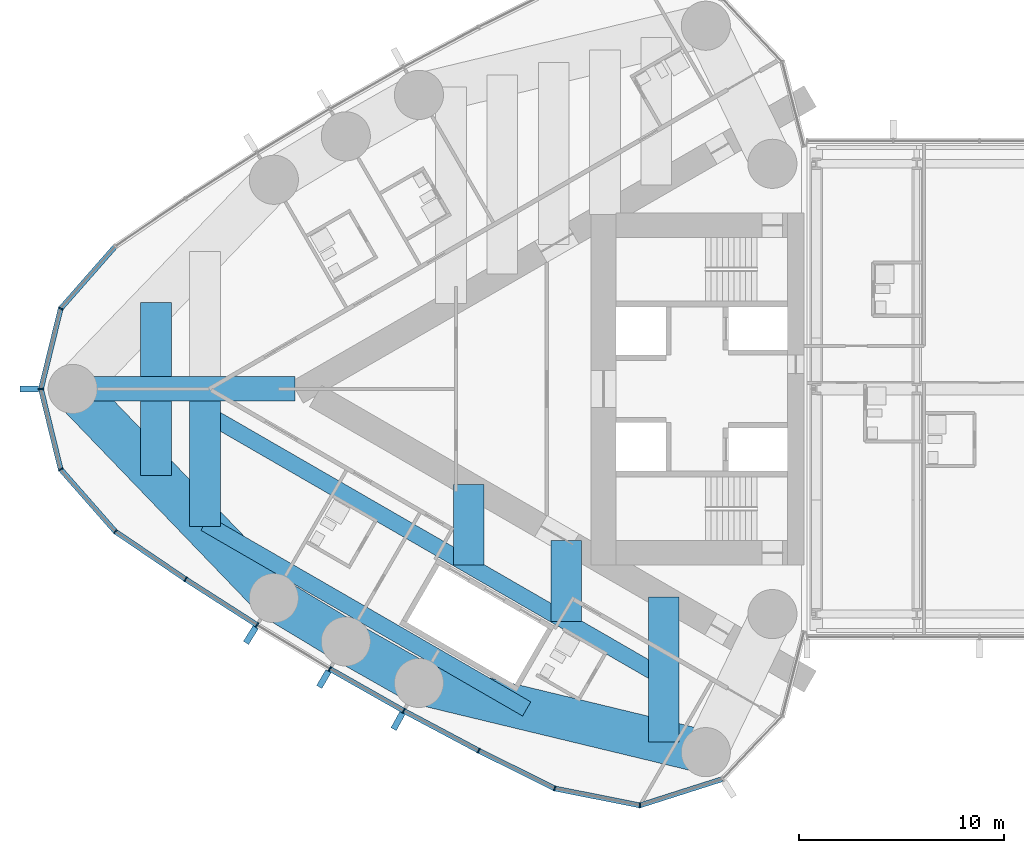
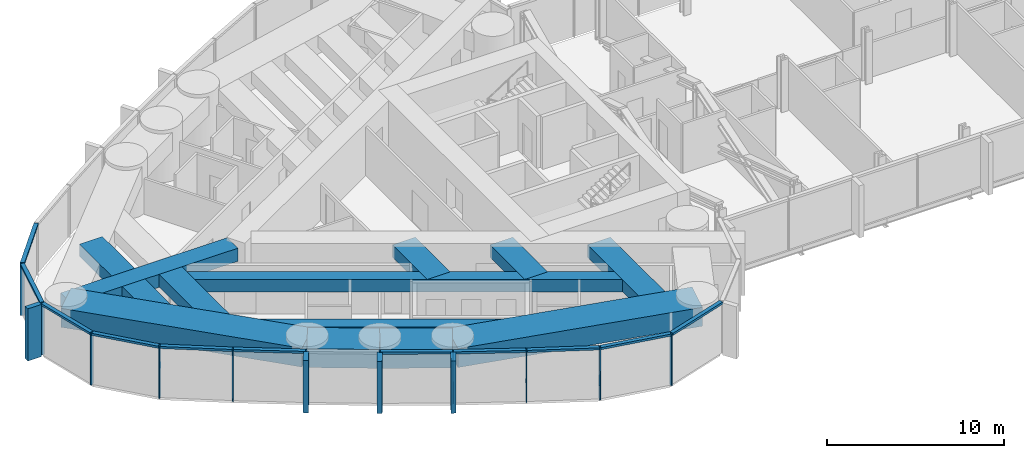
# One storey, part 3 of 24: 26 members, 13 beams, 1 element without a shape of its own.
"""IFC4 building model written with IfcOpenShell, lengths in metres."""

from ifc_helpers import new_model, si_unit, direction, frame, origin, origin_2d, place, context, subcontext, project, spatial, rectangle, hollow_rectangle, extrude, material, material_profile, profile_set, type_object, element, aggregate, save


model = new_model("IFC4")

# Units and contexts
model_context = context("Model", 3, precision=1e-05, world=origin(), true_north=direction((0.0, 1.0)))
body_context = subcontext(model_context, "Body", "Model", "MODEL_VIEW")
ifc_project = project(units=[si_unit("LENGTHUNIT", "METRE"), si_unit("AREAUNIT", "SQUARE_METRE"), si_unit("VOLUMEUNIT", "CUBIC_METRE"), si_unit("PLANEANGLEUNIT", "RADIAN"), si_unit("MASSUNIT", "GRAM", prefix="KILO")], contexts=[model_context])

# Site, building, storey
site_placement = place(None, origin())
site = spatial("IfcSite", under=ifc_project, at=site_placement, CompositionType="ELEMENT")
building_placement = place(site_placement, origin())
building = spatial("IfcBuilding", under=site, at=building_placement, Name="Lancet Gate Hotel", CompositionType="ELEMENT")
storey_placement = place(building_placement, frame((0.0, 0.0, 244.10009765625)))
storey = spatial("IfcBuildingStorey", under=building, at=storey_placement, Name="L65", CompositionType="ELEMENT", Elevation=244.10009765625)

# Curtain wall, members
ifc_material_1 = material(Name="Aluminium curtain wall", Category="aluminium")
curtain_wall_type = type_object("IfcCurtainWallType", Name="Tower unitised curtain wall", PredefinedType="USERDEFINED", material=ifc_material_1)
curtain_wall_placement = place(storey_placement, origin())
curtain_wall = element("IfcCurtainWall", 1, at=curtain_wall_placement, inside=storey, type_object=curtain_wall_type, Name="T1 L65 curtain wall 1", ObjectType="UNITISED CURTAIN WALL", PredefinedType="USERDEFINED")
ifc_material_2 = material(Name="Aluminium mullion", Category="aluminium")
ifc_material_profile_1 = material_profile(ifc_material_2, rectangle(XDim=0.06494140625, YDim=0.25, at=origin_2d()), Name="MULLION 65x250")
ifc_profile_set_1 = profile_set([ifc_material_profile_1], Name="Aluminium mullion")
member_type_1 = type_object("IfcMemberType", Name="Aluminium mullion 65x250", PredefinedType="MULLION", material=ifc_profile_set_1)
member_1_placement = place(storey_placement, frame((-63.822021484375, 3.928466796875, 0.0), z_axis=(0.0, 0.0, 1.0), x_axis=(-0.46217799743, -0.886787177789, 0.0)))
member_1 = element("IfcMember", 2, at=member_1_placement, type_object=member_type_1, Name="T1 L65 curtain wall 1 mullion 12", PredefinedType="MULLION", context=body_context, shape_type="SweptSolid", body=[
    extrude(rectangle(XDim=0.06494140625, YDim=0.25, at=origin_2d()), origin(), (0.0, 0.0, 1.0), 3.599853515625),
])
member_2_placement = place(storey_placement, frame((-64.7841796875, 0.0, 0.0), z_axis=(0.0, 0.0, 1.0), x_axis=(0.0, -1.0, 0.0)))
member_2 = element("IfcMember", 3, at=member_2_placement, type_object=member_type_1, Name="T1 L65 curtain wall 1 mullion 13", PredefinedType="MULLION", context=body_context, shape_type="SweptSolid", body=[
    extrude(rectangle(XDim=0.06494140625, YDim=0.25, at=origin_2d()), origin(), (0.0, 0.0, 1.0), 3.599853515625),
])
member_3_placement = place(storey_placement, frame((-63.822021484375, -3.928466796875, 0.0), z_axis=(0.0, 0.0, 1.0), x_axis=(0.46217799743, -0.886787177789, 0.0)))
member_3 = element("IfcMember", 4, at=member_3_placement, type_object=member_type_1, Name="T1 L65 curtain wall 1 mullion 14", PredefinedType="MULLION", context=body_context, shape_type="SweptSolid", body=[
    extrude(rectangle(XDim=0.06494140625, YDim=0.25, at=origin_2d()), origin(), (0.0, 0.0, 1.0), 3.599853515625),
])
member_4_placement = place(storey_placement, frame((-61.15283203125, -6.967529296875, 0.0), z_axis=(0.0, 0.0, 1.0), x_axis=(0.750715604757, -0.660625522345, 0.0)))
member_4 = element("IfcMember", 5, at=member_4_placement, type_object=member_type_1, Name="T1 L65 curtain wall 1 mullion 15", PredefinedType="MULLION", context=body_context, shape_type="SweptSolid", body=[
    extrude(rectangle(XDim=0.06494140625, YDim=0.25, at=origin_2d()), origin(), (0.0, 0.0, 1.0), 3.599853515625),
])
member_5_placement = place(storey_placement, frame((-57.72021484375, -9.298095703125, 0.0), z_axis=(0.0, 0.0, 1.0), x_axis=(0.834827178542, -0.550512108829, 0.0)))
member_5 = element("IfcMember", 6, at=member_5_placement, type_object=member_type_1, Name="T1 L65 curtain wall 1 mullion 16", PredefinedType="MULLION", context=body_context, shape_type="SweptSolid", body=[
    extrude(rectangle(XDim=0.06494140625, YDim=0.25, at=origin_2d()), origin(), (0.0, 0.0, 1.0), 3.599853515625),
])
member_6_placement = place(storey_placement, frame((-54.225830078125, -11.535400390625, 0.0), z_axis=(0.0, 0.0, 1.0), x_axis=(0.849342388216, -0.527842313176, 0.0)))
member_6 = element("IfcMember", 7, at=member_6_placement, type_object=member_type_1, Name="T1 L65 curtain wall 1 mullion 17", PredefinedType="MULLION", context=body_context, shape_type="SweptSolid", body=[
    extrude(rectangle(XDim=0.06494140625, YDim=0.25, at=origin_2d()), origin(), (0.0, 0.0, 1.0), 3.599853515625),
])
member_7_placement = place(storey_placement, frame((-50.67236328125, -13.677978515625, 0.0), z_axis=(0.0, 0.0, 1.0), x_axis=(0.863242155108, -0.504790037189, 0.0)))
member_7 = element("IfcMember", 8, at=member_7_placement, type_object=member_type_1, Name="T1 L65 curtain wall 1 mullion 18", PredefinedType="MULLION", context=body_context, shape_type="SweptSolid", body=[
    extrude(rectangle(XDim=0.06494140625, YDim=0.25, at=origin_2d()), origin(), (0.0, 0.0, 1.0), 3.599853515625),
])
member_8_placement = place(storey_placement, frame((-47.062744140625, -15.72412109375, 0.0), z_axis=(0.0, 0.0, 1.0), x_axis=(0.876516407283, -0.481371984815, 0.0)))
member_8 = element("IfcMember", 9, at=member_8_placement, type_object=member_type_1, Name="T1 L65 curtain wall 1 mullion 19", PredefinedType="MULLION", context=body_context, shape_type="SweptSolid", body=[
    extrude(rectangle(XDim=0.06494140625, YDim=0.25, at=origin_2d()), origin(), (0.0, 0.0, 1.0), 3.599853515625),
])
member_9_placement = place(storey_placement, frame((-43.3994140625, -17.67236328125, 0.0), z_axis=(0.0, 0.0, 1.0), x_axis=(0.889155526065, -0.457605125046, 0.0)))
member_9 = element("IfcMember", 10, at=member_9_placement, type_object=member_type_1, Name="T1 L65 curtain wall 1 mullion 20", PredefinedType="MULLION", context=body_context, shape_type="SweptSolid", body=[
    extrude(rectangle(XDim=0.06494140625, YDim=0.25, at=origin_2d()), origin(), (0.0, 0.0, 1.0), 3.599853515625),
])
member_10_placement = place(storey_placement, frame((-39.684814453125, -19.521240234375, 0.0), z_axis=(0.0, 0.0, 1.0), x_axis=(0.946887706423, -0.321564412561, 0.0)))
member_10 = element("IfcMember", 11, at=member_10_placement, type_object=member_type_1, Name="T1 L65 curtain wall 1 mullion 21", PredefinedType="MULLION", context=body_context, shape_type="SweptSolid", body=[
    extrude(rectangle(XDim=0.06494140625, YDim=0.25, at=origin_2d()), origin(), (0.0, 0.0, 1.0), 3.599853515625),
])
member_11_placement = place(storey_placement, frame((-35.520751953125, -20.347900390625, 0.0), z_axis=(0.0, 0.0, 1.0), x_axis=(0.998409168318, 0.056383797491, 0.0)))
member_11 = element("IfcMember", 12, at=member_11_placement, type_object=member_type_1, Name="T1 L65 curtain wall 1 mullion 22", PredefinedType="MULLION", context=body_context, shape_type="SweptSolid", body=[
    extrude(rectangle(XDim=0.06494140625, YDim=0.25, at=origin_2d()), origin(), (0.0, 0.0, 1.0), 3.599853515625),
])
ifc_material_3 = material(Name="Aluminium transom", Category="aluminium")
ifc_material_profile_2 = material_profile(ifc_material_3, rectangle(XDim=0.25, YDim=0.14990234375, at=origin_2d()), Name="TRANSOM 250x150")
ifc_profile_set_2 = profile_set([ifc_material_profile_2], Name="Aluminium transom")
member_type_2 = type_object("IfcMemberType", Name="Aluminium transom 250x150", PredefinedType="USERDEFINED", material=ifc_profile_set_2)
member_12_placement = place(storey_placement, frame((-61.17431640625, 6.943115234375, 3.52490234375), z_axis=(-0.659893258593, -0.751359359603, 0.0), x_axis=(0.751359359603, -0.659893258593, 0.0)))
member_12 = element("IfcMember", 13, at=member_12_placement, type_object=member_type_2, Name="T1 L65 curtain wall 1 transom 11", ObjectType="TRANSOM", PredefinedType="USERDEFINED", context=body_context, shape_type="SweptSolid", body=[
    extrude(rectangle(XDim=0.25, YDim=0.14990234375, at=origin_2d()), origin(), (0.0, 0.0, 1.0), 3.979736328125),
])
member_13_placement = place(storey_placement, frame((-63.829833984375, 3.89697265625, 3.52490234375), z_axis=(-0.237899438372, -0.971289790548, 0.0), x_axis=(0.971289790548, -0.237899438372, 0.0)))
member_13 = element("IfcMember", 14, at=member_13_placement, type_object=member_type_2, Name="T1 L65 curtain wall 1 transom 12", ObjectType="TRANSOM", PredefinedType="USERDEFINED", context=body_context, shape_type="SweptSolid", body=[
    extrude(rectangle(XDim=0.25, YDim=0.14990234375, at=origin_2d()), origin(), (0.0, 0.0, 1.0), 3.979736328125),
])
member_14_placement = place(storey_placement, frame((-64.776611328125, -0.031494140625, 3.52490234375), z_axis=(0.237899438372, -0.971289790548, 0.0), x_axis=(0.971289790548, 0.237899438372, 0.0)))
member_14 = element("IfcMember", 15, at=member_14_placement, type_object=member_type_2, Name="T1 L65 curtain wall 1 transom 13", ObjectType="TRANSOM", PredefinedType="USERDEFINED", context=body_context, shape_type="SweptSolid", body=[
    extrude(rectangle(XDim=0.25, YDim=0.14990234375, at=origin_2d()), origin(), (0.0, 0.0, 1.0), 3.979736328125),
])
member_15_placement = place(storey_placement, frame((-63.800537109375, -3.952880859375, 3.52490234375), z_axis=(0.659893258593, -0.751359359603, 0.0), x_axis=(0.751359359603, 0.659893258593, 0.0)))
member_15 = element("IfcMember", 16, at=member_15_placement, type_object=member_type_2, Name="T1 L65 curtain wall 1 transom 14", ObjectType="TRANSOM", PredefinedType="USERDEFINED", context=body_context, shape_type="SweptSolid", body=[
    extrude(rectangle(XDim=0.25, YDim=0.14990234375, at=origin_2d()), origin(), (0.0, 0.0, 1.0), 3.979736328125),
])
member_16_placement = place(storey_placement, frame((-61.1259765625, -6.98583984375, 3.52490234375), z_axis=(0.827348780456, -0.561688521761, 0.0), x_axis=(0.561688521761, 0.827348780456, 0.0)))
member_16 = element("IfcMember", 17, at=member_16_placement, type_object=member_type_2, Name="T1 L65 curtain wall 1 transom 15", ObjectType="TRANSOM", PredefinedType="USERDEFINED", context=body_context, shape_type="SweptSolid", body=[
    extrude(rectangle(XDim=0.25, YDim=0.14990234375, at=origin_2d()), origin(), (0.0, 0.0, 1.0), 4.083984375),
])
member_17_placement = place(storey_placement, frame((-57.692626953125, -9.315673828125, 3.52490234375), z_axis=(0.842144358733, -0.539252147937, 0.0), x_axis=(0.539252147937, 0.842144358733, 0.0)))
member_17 = element("IfcMember", 18, at=member_17_placement, type_object=member_type_2, Name="T1 L65 curtain wall 1 transom 16", ObjectType="TRANSOM", PredefinedType="USERDEFINED", context=body_context, shape_type="SweptSolid", body=[
    extrude(rectangle(XDim=0.25, YDim=0.14990234375, at=origin_2d()), origin(), (0.0, 0.0, 1.0), 4.084228515625),
])
member_18_placement = place(storey_placement, frame((-50.644287109375, -13.694091796875, 3.52490234375), z_axis=(0.869977740049, -0.493090997503, 0.0), x_axis=(0.493090997503, 0.869977740049, 0.0)))
member_18 = element("IfcMember", 19, at=member_18_placement, type_object=member_type_2, Name="T1 L65 curtain wall 1 transom 18", ObjectType="TRANSOM", PredefinedType="USERDEFINED", context=body_context, shape_type="SweptSolid", body=[
    extrude(rectangle(XDim=0.25, YDim=0.14990234375, at=origin_2d()), origin(), (0.0, 0.0, 1.0), 4.084228515625),
])
member_19_placement = place(storey_placement, frame((-47.0341796875, -15.739501953125, 3.52490234375), z_axis=(0.882944619844, -0.469477154171, 0.0), x_axis=(0.469477154171, 0.882944619844, 0.0)))
member_19 = element("IfcMember", 20, at=member_19_placement, type_object=member_type_2, Name="T1 L65 curtain wall 1 transom 19", ObjectType="TRANSOM", PredefinedType="USERDEFINED", context=body_context, shape_type="SweptSolid", body=[
    extrude(rectangle(XDim=0.25, YDim=0.14990234375, at=origin_2d()), origin(), (0.0, 0.0, 1.0), 4.084228515625),
])
member_20_placement = place(storey_placement, frame((-43.370361328125, -17.686767578125, 3.52490234375), z_axis=(0.895226720479, -0.445610950202, 0.0), x_axis=(0.445610950202, 0.895226720479, 0.0)))
member_20 = element("IfcMember", 21, at=member_20_placement, type_object=member_type_2, Name="T1 L65 curtain wall 1 transom 20", ObjectType="TRANSOM", PredefinedType="USERDEFINED", context=body_context, shape_type="SweptSolid", body=[
    extrude(rectangle(XDim=0.25, YDim=0.14990234375, at=origin_2d()), origin(), (0.0, 0.0, 1.0), 4.08447265625),
])
member_21_placement = place(storey_placement, frame((-39.65283203125, -19.527587890625, 3.52490234375), z_axis=(0.980858234867, -0.194723196085, 0.0), x_axis=(0.194723196085, 0.980858234867, 0.0)))
member_21 = element("IfcMember", 22, at=member_21_placement, type_object=member_type_2, Name="T1 L65 curtain wall 1 transom 21", ObjectType="TRANSOM", PredefinedType="USERDEFINED", context=body_context, shape_type="SweptSolid", body=[
    extrude(rectangle(XDim=0.25, YDim=0.14990234375, at=origin_2d()), origin(), (0.0, 0.0, 1.0), 4.18017578125),
])
member_22_placement = place(storey_placement, frame((-35.48974609375, -20.338134765625, 3.52490234375), z_axis=(0.952697713775, 0.303919506068, 0.0), x_axis=(-0.303919506068, 0.952697713775, 0.0)))
member_22 = element("IfcMember", 23, at=member_22_placement, type_object=member_type_2, Name="T1 L65 curtain wall 1 transom 22", ObjectType="TRANSOM", PredefinedType="USERDEFINED", context=body_context, shape_type="SweptSolid", body=[
    extrude(rectangle(XDim=0.25, YDim=0.14990234375, at=origin_2d()), origin(), (0.0, 0.0, 1.0), 4.180419921875),
])

# Beams
ifc_material_4 = material(Name="Concrete C50/60", Category="concrete")
ifc_material_profile_3 = material_profile(ifc_material_4, rectangle(XDim=2.10009765625, YDim=1.300048828125, at=origin_2d()), Name="RC 2100x1300")
ifc_profile_set_3 = profile_set([ifc_material_profile_3], Name="Concrete C50/60")
beam_type_1 = type_object("IfcBeamType", Name="Edge beam RC 2100x1300", PredefinedType="SPANDREL", material=ifc_profile_set_3)
beam_1_placement = place(storey_placement, frame((-63.234375, 0.0, 2.699951171875), z_axis=(0.693134527053, -0.720808245934, 0.0), x_axis=(0.720808245934, 0.693134527053, 0.0)))
element("IfcBeam", 24, at=beam_1_placement, inside=storey, type_object=beam_type_1, Name="T1 edge beam EB1 L65", PredefinedType="SPANDREL", context=body_context, shape_type="SweptSolid", body=[
    extrude(rectangle(XDim=2.10009765625, YDim=1.300048828125, at=origin_2d()), origin(), (0.0, 0.0, 1.0), 14.17724609375),
])
for number, where, z_axis, x_axis, name in (
    (25, (-53.40771484375, -10.218994140625, 2.699951171875), (0.856358061538, -0.516382484636, 0.0), (0.516382484636, 0.856358061538, 0.0), "T1 edge beam EB1 L65"),
    (26, (-49.89013671875, -12.340087890625, 2.699951171875), (0.869978841992, -0.493089053301, 0.0), (0.493089053301, 0.869978841992, 0.0), "T1 edge beam EB1 L65"),
):
    element("IfcBeam", number, at=place(storey_placement, frame(where, z_axis=z_axis, x_axis=x_axis)), inside=storey, type_object=beam_type_1, Name=name, PredefinedType="SPANDREL", context=body_context, shape_type="SweptSolid", body=[
        extrude(rectangle(XDim=2.10009765625, YDim=1.300048828125, at=origin_2d()), origin(), (0.0, 0.0, 1.0), 4.107666015625),
    ])
beam_2_placement = place(storey_placement, frame((-46.316650390625, -14.365478515625, 2.699951171875), z_axis=(0.972132796948, -0.234430853556, 0.0), x_axis=(0.234430853556, 0.972132796948, 0.0)))
element("IfcBeam", 27, at=beam_2_placement, inside=storey, type_object=beam_type_1, Name="T1 edge beam EB1 L65", PredefinedType="SPANDREL", context=body_context, shape_type="SweptSolid", body=[
    extrude(rectangle(XDim=2.10009765625, YDim=1.300048828125, at=origin_2d()), origin(), (0.0, 0.0, 1.0), 14.41748046875),
])

# Member
ifc_material_5 = material(Name="Precast concrete C50/60", Category="concrete")
ifc_material_profile_4 = material_profile(ifc_material_5, rectangle(XDim=0.300048828125, YDim=0.89990234375, at=origin_2d()), Name="FIN 300x900")
ifc_profile_set_4 = profile_set([ifc_material_profile_4], Name="Precast concrete C50/60")
member_type_3 = type_object("IfcMemberType", Name="Exposed concrete fin 300x900", PredefinedType="USERDEFINED", material=ifc_profile_set_4)
member_23_placement = place(storey_placement, frame((-65.359375, 0.0, 0.0), z_axis=(0.0, 0.0, 1.0), x_axis=(0.0, -1.0, 0.0)))
member_23 = element("IfcMember", 28, at=member_23_placement, type_object=member_type_3, Name="T1 L65 curtain wall 1 fin 13", ObjectType="FIN", PredefinedType="USERDEFINED", context=body_context, shape_type="SweptSolid", body=[
    extrude(rectangle(XDim=0.300048828125, YDim=0.89990234375, at=origin_2d()), origin(), (0.0, 0.0, 1.0), 3.599853515625),
])

member_24_placement = place(storey_placement, frame((-54.529296875, -12.02392578125, 0.0), z_axis=(0.0, 0.0, 1.0), x_axis=(0.849342388216, -0.527842313176, 0.0)))
member_24 = element("IfcMember", 29, at=member_24_placement, type_object=member_type_3, Name="T1 L65 curtain wall 1 fin 17", ObjectType="FIN", PredefinedType="USERDEFINED", context=body_context, shape_type="SweptSolid", body=[
    extrude(rectangle(XDim=0.300048828125, YDim=0.89990234375, at=origin_2d()), origin(), (0.0, 0.0, 1.0), 3.599853515625),
])

member_25_placement = place(storey_placement, frame((-50.962646484375, -14.17431640625, 0.0), z_axis=(0.0, 0.0, 1.0), x_axis=(0.863242155108, -0.504790037189, 0.0)))
member_25 = element("IfcMember", 30, at=member_25_placement, type_object=member_type_3, Name="T1 L65 curtain wall 1 fin 18", ObjectType="FIN", PredefinedType="USERDEFINED", context=body_context, shape_type="SweptSolid", body=[
    extrude(rectangle(XDim=0.300048828125, YDim=0.89990234375, at=origin_2d()), origin(), (0.0, 0.0, 1.0), 3.599853515625),
])

member_26_placement = place(storey_placement, frame((-47.339599609375, -16.22802734375, 0.0), z_axis=(0.0, 0.0, 1.0), x_axis=(0.876516407283, -0.481371984815, 0.0)))
member_26 = element("IfcMember", 31, at=member_26_placement, type_object=member_type_3, Name="T1 L65 curtain wall 1 fin 19", ObjectType="FIN", PredefinedType="USERDEFINED", context=body_context, shape_type="SweptSolid", body=[
    extrude(rectangle(XDim=0.300048828125, YDim=0.89990234375, at=origin_2d()), origin(), (0.0, 0.0, 1.0), 3.599853515625),
])

aggregate(curtain_wall, [member_1, member_2, member_23, member_3, member_4, member_5, member_6, member_24, member_7, member_25, member_8, member_26, member_9, member_10, member_11, member_12, member_13, member_14, member_15, member_16, member_17, member_18, member_19, member_20, member_21, member_22])

# Beams
ifc_material_6 = material(Name="Concrete C50/60", Category="concrete")
ifc_material_profile_5 = material_profile(ifc_material_6, rectangle(XDim=1.5, YDim=0.85009765625, at=origin_2d()), Name="RC 1500x850")
ifc_profile_set_5 = profile_set([ifc_material_profile_5], Name="Concrete C50/60")
beam_type_2 = type_object("IfcBeamType", Name="Floor beam RC 1500x850", PredefinedType="BEAM", material=ifc_profile_set_5)
beam_3_placement = place(storey_placement, frame((-34.353515625, -10.169921875, 2.9248046875), z_axis=(0.0, -1.0, 0.0), x_axis=(1.0, 0.0, 0.0)))
element("IfcBeam", 32, at=beam_3_placement, inside=storey, type_object=beam_type_2, Name="T1 floor beam F01N L65", PredefinedType="BEAM", context=body_context, shape_type="SweptSolid", body=[
    extrude(rectangle(XDim=1.5, YDim=0.85009765625, at=origin_2d()), origin(), (0.0, 0.0, 1.0), 7.08056640625),
])
beam_4_placement = place(storey_placement, frame((-56.768310546875, -0.60009765625, 2.9248046875), z_axis=(0.0, -1.0, 0.0), x_axis=(1.0, 0.0, 0.0)))
element("IfcBeam", 33, at=beam_4_placement, inside=storey, type_object=beam_type_2, Name="T1 floor beam F10N L65", PredefinedType="BEAM", context=body_context, shape_type="SweptSolid", body=[
    extrude(rectangle(XDim=1.5, YDim=0.85009765625, at=origin_2d()), origin(), (0.0, 0.0, 1.0), 6.1240234375),
])
for number, where, z_axis, x_axis, name in (
    (34, (-59.168212890625, 4.228271484375, 2.9248046875), (0.0, -1.0, 0.0), (1.0, 0.0, 0.0), "T1 floor beam F11S L65"),
    (35, (-59.168212890625, -0.60009765625, 2.9248046875), (0.0, -1.0, 0.0), (1.0, 0.0, 0.0), "T1 floor beam F12N L65"),
):
    element("IfcBeam", number, at=place(storey_placement, frame(where, z_axis=z_axis, x_axis=x_axis)), inside=storey, type_object=beam_type_2, Name=name, PredefinedType="BEAM", context=body_context, shape_type="SweptSolid", body=[
        extrude(rectangle(XDim=1.5, YDim=0.85009765625, at=origin_2d()), origin(), (0.0, 0.0, 1.0), 3.628173828125),
    ])
for number, where, z_axis, x_axis, name in (
    (36, (-39.122314453125, -7.41650390625, 2.9248046875), (0.0, -1.0, 0.0), (1.0, 0.0, 0.0), "T1 floor beam F04NA L65"),
    (37, (-43.891357421875, -4.663330078125, 2.9248046875), (0.0, -1.0, 0.0), (1.0, 0.0, 0.0), "T1 floor beam F07NA L65"),
):
    element("IfcBeam", number, at=place(storey_placement, frame(where, z_axis=z_axis, x_axis=x_axis)), inside=storey, type_object=beam_type_2, Name=name, PredefinedType="BEAM", context=body_context, shape_type="SweptSolid", body=[
        extrude(rectangle(XDim=1.5, YDim=0.85009765625, at=origin_2d()), origin(), (0.0, 0.0, 1.0), 3.945556640625),
    ])
ifc_material_7 = material(Name="Concrete C50/60", Category="concrete")
ifc_material_profile_6 = material_profile(ifc_material_7, rectangle(XDim=1.199951171875, YDim=0.89990234375, at=origin_2d()), Name="RC 1200x900")
ifc_profile_set_6 = profile_set([ifc_material_profile_6], Name="Concrete C50/60")
beam_type_3 = type_object("IfcBeamType", Name="Radial floor beam RC 1200x900", PredefinedType="BEAM", material=ifc_profile_set_6)
beam_5_placement = place(storey_placement, frame((-63.234375, 0.0, 2.89990234375), z_axis=(1.0, 0.0, 0.0), x_axis=(0.0, 1.0, 0.0)))
element("IfcBeam", 38, at=beam_5_placement, inside=storey, type_object=beam_type_3, Name="T1 radial beam CA L65", PredefinedType="BEAM", context=body_context, shape_type="SweptSolid", body=[
    extrude(rectangle(XDim=1.199951171875, YDim=0.89990234375, at=origin_2d()), origin(), (0.0, 0.0, 1.0), 10.8662109375),
])
ifc_material_8 = material(Name="Steel S460QL", Category="steel")
ifc_material_profile_7 = material_profile(ifc_material_8, hollow_rectangle(XDim=0.800048828125, YDim=0.85009765625, WallThickness=0.080078125, at=origin_2d()), Name="BOX 850x800x80")
ifc_profile_set_7 = profile_set([ifc_material_profile_7], Name="Steel S460QL")
beam_type_4 = type_object("IfcBeamType", Name="Trimmer beam BOX 850x800x80", PredefinedType="BEAM", material=ifc_profile_set_7)
beam_6_placement = place(storey_placement, frame((-34.353515625, -14.115234375, 2.9248046875), z_axis=(-0.866038088301, 0.499978029129, 0.0), x_axis=(-0.499978029129, -0.866038088301, 0.0)))
element("IfcBeam", 39, at=beam_6_placement, inside=storey, type_object=beam_type_4, Name="T1 trimmer beam TR01N L65", PredefinedType="BEAM", context=body_context, shape_type="SweptSolid", body=[
    extrude(hollow_rectangle(XDim=0.800048828125, YDim=0.85009765625, WallThickness=0.080078125, at=origin_2d()), origin(), (0.0, 0.0, 1.0), 25.882080078125),
])
beam_7_placement = place(storey_placement, frame((-41.05322265625, -15.634765625, 2.9248046875), z_axis=(-0.866039732055, 0.499975181887, 0.0), x_axis=(-0.499975181887, -0.866039732055, 0.0)))
element("IfcBeam", 40, at=beam_7_placement, inside=storey, type_object=beam_type_4, Name="T1 trimmer beam TR02N L65", PredefinedType="BEAM", context=body_context, shape_type="SweptSolid", body=[
    extrude(hollow_rectangle(XDim=0.800048828125, YDim=0.85009765625, WallThickness=0.080078125, at=origin_2d()), origin(), (0.0, 0.0, 1.0), 18.14599609375),
])

save(model, "model.ifc")
